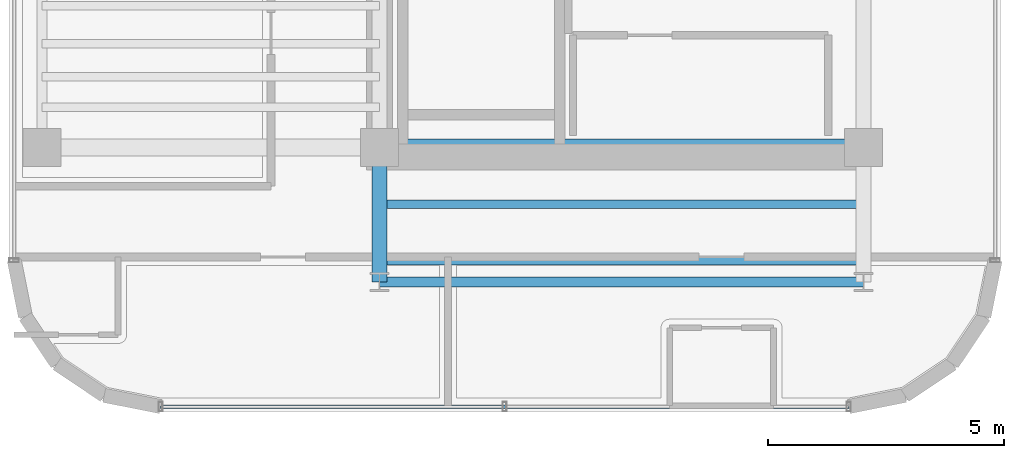
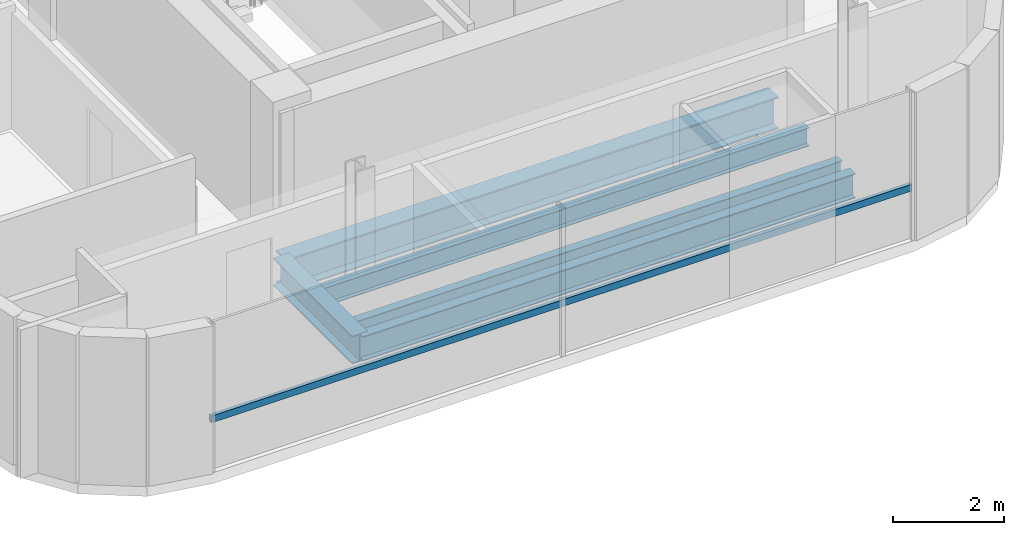
# One storey, part 3 of 21: 5 beams, 1 member, 1 element without a shape of its own.
"""IFC4 building model written with IfcOpenShell, lengths in metres."""

from ifc_helpers import new_model, si_unit, direction, frame, origin, origin_2d, place, context, subcontext, project, spatial, hollow_rectangle, i_section, extrude, source, transform, mapped, material, material_profile, profile_set, type_object, element, aggregate, save


model = new_model("IFC4")

# Units and contexts
model_context = context("Model", 3, precision=1e-05, world=origin(), true_north=direction((0.0, 1.0)))
body_context = subcontext(model_context, "Body", "Model", "MODEL_VIEW")
ifc_project = project(units=[si_unit("LENGTHUNIT", "METRE"), si_unit("AREAUNIT", "SQUARE_METRE"), si_unit("VOLUMEUNIT", "CUBIC_METRE"), si_unit("PLANEANGLEUNIT", "RADIAN"), si_unit("MASSUNIT", "GRAM", prefix="KILO")], contexts=[model_context])

# Site, building, storey
site_placement = place(None, origin())
site = spatial("IfcSite", under=ifc_project, at=site_placement, CompositionType="ELEMENT")
building_placement = place(site_placement, origin())
building = spatial("IfcBuilding", under=site, at=building_placement, Name="Valdorenza Pilgrim Sanctuary Tower", CompositionType="ELEMENT")
storey_placement = place(building_placement, frame((0.0, 0.0, 254.5)))
storey = spatial("IfcBuildingStorey", under=building, at=storey_placement, Name="L66", CompositionType="ELEMENT", Elevation=254.5)

# Beams
ifc_material_1 = material(Name="Steel ASTM A992 Grade 50", Category="steel")
ifc_material_profile_1 = material_profile(ifc_material_1, i_section(OverallWidth=0.323974609375, OverallDepth=0.611083984375, WebThickness=0.0126953125, FlangeThickness=0.01904296875, at=origin_2d()), Name="W24X104")
ifc_profile_set_1 = profile_set([ifc_material_profile_1], Name="Steel ASTM A992 Grade 50")
beam_type_1 = type_object("IfcBeamType", Name="STR-BM-GRD-W24B", PredefinedType="BEAM", material=ifc_profile_set_1)
shared_shape_1 = source(origin(), body_context, "Body", "SweptSolid", [
    extrude(i_section(OverallWidth=0.323974609375, OverallDepth=0.611083984375, WebThickness=0.0126953125, FlangeThickness=0.01904296875, at=origin_2d()), origin(), (0.0, 0.0, 1.0), 2.849853515625),
])
beam_1_placement = place(storey_placement, frame((-22.64990234375, -13.449951171875, -0.54541015625), z_axis=(0.0, 1.0, 0.0), x_axis=(-1.0, 0.0, 0.0)))
element("IfcBeam", 1, at=beam_1_placement, inside=storey, type_object=beam_type_1, Name="L66 Floor Girder WA-S-LW", PredefinedType="BEAM", context=body_context, shape_type="MappedRepresentation", body=[
    mapped(shared_shape_1, transform((0.0, 0.0, 0.0), x_axis=(1.0, 0.0, 0.0), y_axis=(0.0, 1.0, 0.0), z_axis=(0.0, 0.0, 1.0), scale=1.0)),
])
ifc_material_profile_2 = material_profile(ifc_material_1, i_section(OverallWidth=0.2109375, OverallDepth=0.5390625, WebThickness=0.01171875, FlangeThickness=0.018798828125, at=origin_2d()), Name="W21X73")
ifc_profile_set_2 = profile_set([ifc_material_profile_2], Name="Steel ASTM A992 Grade 50")
beam_type_2 = type_object("IfcBeamType", Name="STR-BM-SPN-W21B", PredefinedType="SPANDREL", material=ifc_profile_set_2)
shared_shape_2 = source(origin(), body_context, "Body", "SweptSolid", [
    extrude(i_section(OverallWidth=0.2109375, OverallDepth=0.5390625, WebThickness=0.01171875, FlangeThickness=0.018798828125, at=origin_2d()), origin(), (0.0, 0.0, 1.0), 10.25),
])
beam_2_placement = place(storey_placement, frame((-22.64990234375, -13.449951171875, -0.509521484375), z_axis=(1.0, 0.0, 0.0), x_axis=(0.0, 1.0, 0.0)))
element("IfcBeam", 2, at=beam_2_placement, inside=storey, type_object=beam_type_2, Name="L66 South Spandrel WA-S-TIE", PredefinedType="SPANDREL", context=body_context, shape_type="MappedRepresentation", body=[
    mapped(shared_shape_2, transform((0.0, 0.0, 0.0), x_axis=(1.0, 0.0, 0.0), y_axis=(0.0, 1.0, 0.0), z_axis=(0.0, 0.0, 1.0), scale=1.0)),
])
ifc_material_profile_3 = material_profile(ifc_material_1, i_section(OverallWidth=0.35595703125, OverallDepth=0.700927734375, WebThickness=0.016845703125, FlangeThickness=0.02734375, at=origin_2d()), Name="W27X161")
ifc_profile_set_3 = profile_set([ifc_material_profile_3], Name="Steel ASTM A992 Grade 50")
beam_type_3 = type_object("IfcBeamType", Name="STR-BM-GRD-W27", PredefinedType="BEAM", material=ifc_profile_set_3)
shared_shape_3 = source(origin(), body_context, "Body", "SweptSolid", [
    extrude(i_section(OverallWidth=0.35595703125, OverallDepth=0.700927734375, WebThickness=0.016845703125, FlangeThickness=0.02734375, at=origin_2d()), origin(), (0.0, 0.0, 1.0), 10.25),
])
beam_3_placement = place(storey_placement, frame((-22.64990234375, -10.60009765625, -0.590576171875), z_axis=(1.0, 0.0, 0.0), x_axis=(0.0, 1.0, 0.0)))
element("IfcBeam", 3, at=beam_3_placement, inside=storey, type_object=beam_type_3, Name="L66 Floor Girder CA-XC-S1", PredefinedType="BEAM", context=body_context, shape_type="MappedRepresentation", body=[
    mapped(shared_shape_3, transform((0.0, 0.0, 0.0), x_axis=(1.0, 0.0, 0.0), y_axis=(0.0, 1.0, 0.0), z_axis=(0.0, 0.0, 1.0), scale=1.0)),
])
ifc_material_profile_4 = material_profile(ifc_material_1, i_section(OverallWidth=0.177978515625, OverallDepth=0.406005859375, WebThickness=0.0078125, FlangeThickness=0.0126953125, at=origin_2d()), Name="W16X40")
ifc_profile_set_4 = profile_set([ifc_material_profile_4], Name="Steel ASTM A992 Grade 50")
beam_type_4 = type_object("IfcBeamType", Name="STR-BM-JST-W16", PredefinedType="JOIST", material=ifc_profile_set_4)
shared_shape_4 = source(origin(), body_context, "Body", "SweptSolid", [
    extrude(i_section(OverallWidth=0.177978515625, OverallDepth=0.406005859375, WebThickness=0.0078125, FlangeThickness=0.0126953125, at=origin_2d()), origin(), (0.0, 0.0, 1.0), 10.25),
])
for number, where, z_axis, x_axis, name in (
    (4, (-22.64990234375, -13.0, -0.443115234375), (1.0, 0.0, 0.0), (0.0, 1.0, 0.0), "L66 Composite Floor Joist JST-WAS-1"),
    (5, (-22.64990234375, -11.800048828125, -0.443115234375), (1.0, 0.0, 0.0), (0.0, 1.0, 0.0), "L66 Composite Floor Joist JST-WAS-2"),
):
    element("IfcBeam", number, at=place(storey_placement, frame(where, z_axis=z_axis, x_axis=x_axis)), inside=storey, type_object=beam_type_4, Name=name, PredefinedType="JOIST", context=body_context, shape_type="MappedRepresentation", body=[
        mapped(shared_shape_4, transform((0.0, 0.0, 0.0), x_axis=(1.0, 0.0, 0.0), y_axis=(0.0, 1.0, 0.0), z_axis=(0.0, 0.0, 1.0), scale=1.0)),
    ])

# Curtain wall, member
ifc_material_2 = material(Name="Curtain-wall IGU glazing", Category="glass")
curtain_wall_type = type_object("IfcCurtainWallType", Name="CW-SYS-02", PredefinedType="NOTDEFINED", material=ifc_material_2)
curtain_wall_placement = place(storey_placement, origin())
curtain_wall = element("IfcCurtainWall", 6, at=curtain_wall_placement, inside=storey, type_object=curtain_wall_type, Name="L66 Curtain Wall CW-L66-1-26", PredefinedType="NOTDEFINED")
ifc_material_3 = material(Name="Anodised aluminium AW-6060", Category="aluminium")
ifc_material_profile_5 = material_profile(ifc_material_3, hollow_rectangle(XDim=0.074951171875, YDim=0.14990234375, WallThickness=0.00390625, at=origin_2d()), Name="ALU-T 150x75x4")
ifc_profile_set_5 = profile_set([ifc_material_profile_5], Name="Anodised aluminium AW-6060")
member_type = type_object("IfcMemberType", Name="CW-TRN-02", PredefinedType="USERDEFINED", material=ifc_profile_set_5)
shared_shape_5 = source(origin(), body_context, "Body", "SweptSolid", [
    extrude(hollow_rectangle(XDim=0.074951171875, YDim=0.14990234375, WallThickness=0.00390625, at=origin_2d()), origin(), (0.0, 0.0, 1.0), 14.57861328125),
])
member_placement = place(storey_placement, frame((-12.710693359375, -16.090087890625, 1.1201171875), z_axis=(-1.0, 0.0, 0.0), x_axis=(0.0, -1.0, 0.0)))
member = element("IfcMember", 7, at=member_placement, type_object=member_type, Name="CW-L66-1-26 Transom 1", ObjectType="TRANSOM", PredefinedType="USERDEFINED", context=body_context, shape_type="MappedRepresentation", body=[
    mapped(shared_shape_5, transform((0.0, 0.0, 0.0), x_axis=(1.0, 0.0, 0.0), y_axis=(0.0, 1.0, 0.0), z_axis=(0.0, 0.0, 1.0), scale=1.0)),
])
aggregate(curtain_wall, [member])

save(model, "model.ifc")
